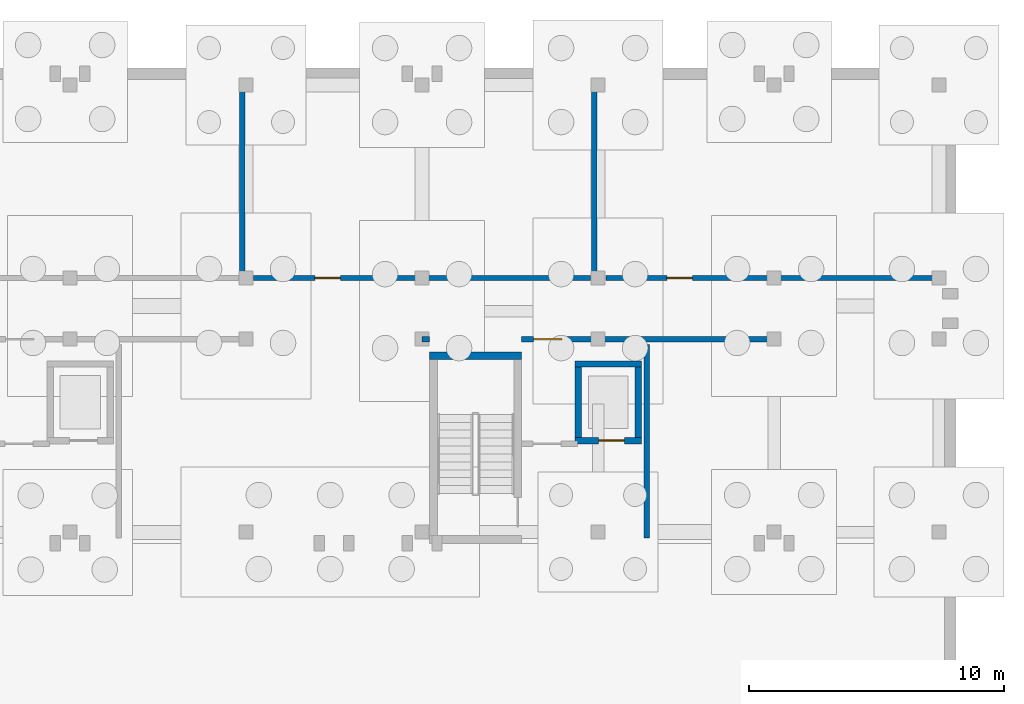
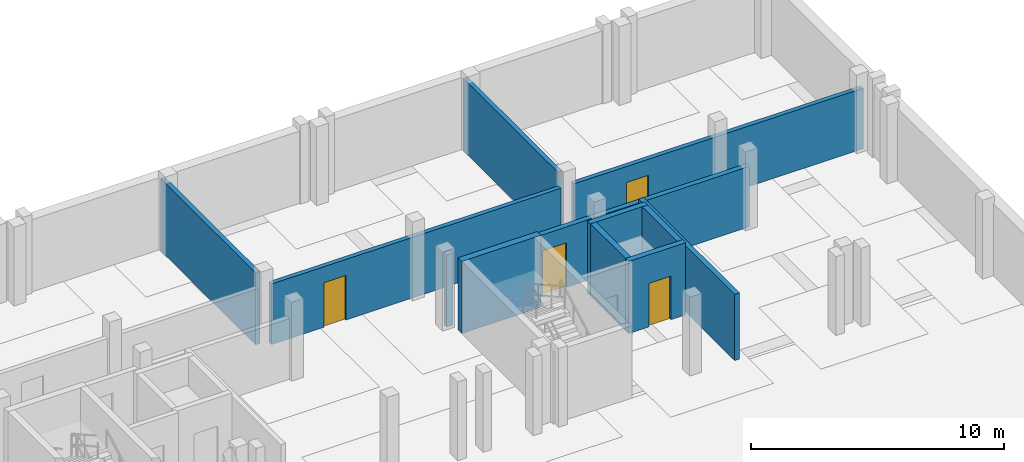
# One storey, part 29 of 38: 12 walls, 4 doors, 4 openings.
"""IFC4 building model written with IfcOpenShell, lengths in metres."""

from ifc_helpers import new_model, si_unit, direction, frame, frame_2d, origin, origin_with_axes, place, context, subcontext, project, spatial, rectangle, extrude, material, layer, layer_set, type_object, element, fill, save


model = new_model("IFC4")

# Units and contexts
model_context = context("Model", 3, precision=1e-05, world=origin(), true_north=direction((0.0, 1.0)))
body_context = subcontext(model_context, "Body", "Model", "MODEL_VIEW")
ifc_project = project(units=[si_unit("LENGTHUNIT", "METRE"), si_unit("AREAUNIT", "SQUARE_METRE"), si_unit("VOLUMEUNIT", "CUBIC_METRE"), si_unit("PLANEANGLEUNIT", "RADIAN"), si_unit("MASSUNIT", "GRAM", prefix="KILO")], contexts=[model_context])

# Site, building, storey
site_placement = place(None, origin())
site = spatial("IfcSite", under=ifc_project, at=site_placement, CompositionType="ELEMENT")
building_placement = place(site_placement, origin())
building = spatial("IfcBuilding", under=site, at=building_placement, Name="Zavelmont Quarter", CompositionType="ELEMENT")
storey_placement = place(building_placement, frame((0.0, 0.0, -3.800048828125)))
storey = spatial("IfcBuildingStorey", under=building, at=storey_placement, Name="B01", CompositionType="ELEMENT", Elevation=-3.800048828125)

# Wall
ifc_material_1 = material(Name="Calcium-silicate blockwork and acoustic plaster", Category="masonry")
ifc_layer_1 = layer(ifc_material_1, 0.199951171875)
ifc_layer_set_1 = layer_set([ifc_layer_1], Name="Calcium-silicate blockwork and acoustic plaster")
wall_type_1 = type_object("IfcWallType", Name="IW01", PredefinedType="PARTITIONING", material=ifc_layer_set_1)
wall_1_placement = place(storey_placement, frame((140.25, 108.199951171875, 0.0), z_axis=(0.0, 0.0, 1.0), x_axis=(0.0, 1.0, 0.0)))
element("IfcWall", 1, at=wall_1_placement, inside=storey, type_object=wall_type_1, Name="B01 Interior partition IW01", PredefinedType="PARTITIONING", context=body_context, shape_type="SweptSolid", body=[
    extrude(rectangle(XDim=7.5, YDim=0.199951171875, at=frame_2d((3.75, 0.0))), origin(), (0.0, 0.0, 1.0), 3.47998046875),
])

# Wall, opening, door
wall_2_placement = place(storey_placement, frame((140.699951171875, 108.0, 0.0), z_axis=(0.0, 0.0, 1.0), x_axis=(1.0, 0.0, 0.0)))
wall_2 = element("IfcWall", 2, at=wall_2_placement, inside=storey, type_object=wall_type_1, Name="B01 Basement storage wall IW01", PredefinedType="PARTITIONING", context=body_context, shape_type="SweptSolid", body=[
    extrude(rectangle(XDim=13.199951171875, YDim=0.199951171875, at=frame_2d((6.60009765625, 0.0))), origin(), (0.0, 0.0, 1.0), 2.920166015625),
])
opening_1_placement = place(wall_2_placement, frame((2.39990234375, 0.0, 0.0)))
opening_1 = element("IfcOpeningElement", 3, at=opening_1_placement, cuts=wall_2, Name="Opening DR07", PredefinedType="OPENING", context=body_context, shape_type="SweptSolid", body=[
    extrude(rectangle(XDim=1.0, YDim=2.14990234375, at=frame_2d((0.5, 1.074951171875))), frame((0.0, 0.11181640625, 0.0), z_axis=(0.0, -1.0, 0.0), x_axis=(1.0, 0.0, 0.0)), (0.0, 0.0, 1.0), 0.223876953125),
])
ifc_material_2 = material(Name="Solid-core oak fire leaf in steel frame", Category="steel")
door_type_1 = type_object("IfcDoorType", Name="DR07", OperationType="NOTDEFINED", PredefinedType="DOOR", material=ifc_material_2)
door_1_placement = place(opening_1_placement, frame((1.0, 0.0, 0.0), z_axis=(0.0, 0.0, 1.0), x_axis=(-1.0, 0.0, 0.0)))
door_1 = element("IfcDoor", 4, at=door_1_placement, inside=storey, type_object=door_type_1, Name="B01 door DR07", OperationType="SINGLE_SWING_RIGHT", OverallHeight=2.14990234375, OverallWidth=1.0, PredefinedType="DOOR", context=body_context, shape_type="SweptSolid", body=[
    extrude(rectangle(XDim=1.0, YDim=2.14990234375, at=frame_2d((0.5, 1.074951171875))), frame((0.0, 0.02490234375, 0.0), z_axis=(0.0, -1.0, 0.0), x_axis=(1.0, 0.0, 0.0)), (0.0, 0.0, 1.0), 0.050048828125),
])
fill(opening_1, door_1)

# Wall
wall_3_placement = place(storey_placement, frame((154.050048828125, 108.199951171875, 0.0), z_axis=(0.0, 0.0, 1.0), x_axis=(0.0, 1.0, 0.0)))
element("IfcWall", 5, at=wall_3_placement, inside=storey, type_object=wall_type_1, Name="B01 Interior partition IW01", PredefinedType="PARTITIONING", context=body_context, shape_type="SweptSolid", body=[
    extrude(rectangle(XDim=7.5, YDim=0.199951171875, at=frame_2d((3.75, 0.0))), origin(), (0.0, 0.0, 1.0), 3.47998046875),
])

# Wall, opening, door
wall_4_placement = place(storey_placement, frame((154.5, 108.0, 0.0), z_axis=(0.0, 0.0, 1.0), x_axis=(1.0, 0.0, 0.0)))
wall_4 = element("IfcWall", 6, at=wall_4_placement, inside=storey, type_object=wall_type_1, Name="B01 Basement storage wall IW01", PredefinedType="PARTITIONING", context=body_context, shape_type="SweptSolid", body=[
    extrude(rectangle(XDim=13.199951171875, YDim=0.199951171875, at=frame_2d((6.60009765625, 0.0))), origin(), (0.0, 0.0, 1.0), 2.920166015625),
])
opening_2_placement = place(wall_4_placement, frame((2.39990234375, 0.0, 0.0)))
opening_2 = element("IfcOpeningElement", 7, at=opening_2_placement, cuts=wall_4, Name="Opening DR07", PredefinedType="OPENING", context=body_context, shape_type="SweptSolid", body=[
    extrude(rectangle(XDim=1.0, YDim=2.14990234375, at=frame_2d((0.5, 1.074951171875))), frame((0.0, 0.11181640625, 0.0), z_axis=(0.0, -1.0, 0.0), x_axis=(1.0, 0.0, 0.0)), (0.0, 0.0, 1.0), 0.223876953125),
])
door_2_placement = place(opening_2_placement, origin_with_axes())
door_2 = element("IfcDoor", 8, at=door_2_placement, inside=storey, type_object=door_type_1, Name="B01 door DR07", OperationType="SINGLE_SWING_RIGHT", OverallHeight=2.14990234375, OverallWidth=1.0, PredefinedType="DOOR", context=body_context, shape_type="SweptSolid", body=[
    extrude(rectangle(XDim=1.0, YDim=2.14990234375, at=frame_2d((0.5, 1.074951171875))), frame((0.0, 0.02490234375, 0.0), z_axis=(0.0, -1.0, 0.0), x_axis=(1.0, 0.0, 0.0)), (0.0, 0.0, 1.0), 0.050048828125),
])
fill(opening_2, door_2)

# Walls
ifc_material_3 = material(Name="Reinforced masonry fire compartment wall", Category="masonry")
ifc_layer_2 = layer(ifc_material_3, 0.22509765625)
ifc_layer_set_2 = layer_set([ifc_layer_2], Name="Reinforced masonry fire compartment wall")
wall_type_2 = type_object("IfcWallType", Name="IW02", PredefinedType="PARTITIONING", material=ifc_layer_set_2)
wall_5_placement = place(storey_placement, frame((156.110107421875, 97.800048828125, 0.0), z_axis=(0.0, 0.0, 1.0), x_axis=(0.0, 1.0, 0.0)))
element("IfcWall", 9, at=wall_5_placement, inside=storey, type_object=wall_type_2, Name="B01 Firefighting lobby enclosure wall IW02", PredefinedType="PARTITIONING", context=body_context, shape_type="SweptSolid", body=[
    extrude(rectangle(XDim=7.599853515625, YDim=0.22509765625, at=frame_2d((3.7998046875, 0.0))), origin(), (0.0, 0.0, 1.0), 3.18994140625),
])
wall_6_placement = place(storey_placement, frame((147.300048828125, 105.60009765625, 0.0), z_axis=(0.0, 0.0, 1.0), x_axis=(1.0, 0.0, 0.0)))
element("IfcWall", 10, at=wall_6_placement, inside=storey, type_object=wall_type_2, Name="B01 Core corridor wall IW02", PredefinedType="PARTITIONING", context=body_context, shape_type="SweptSolid", body=[
    extrude(rectangle(XDim=0.300048828125, YDim=0.22509765625, at=frame_2d((0.14990234375, 0.0))), origin(), (0.0, 0.0, 1.0), 3.47998046875),
])

# Wall, opening, door
wall_7_placement = place(storey_placement, frame((151.199951171875, 105.60009765625, 0.0), z_axis=(0.0, 0.0, 1.0), x_axis=(1.0, 0.0, 0.0)))
wall_7 = element("IfcWall", 11, at=wall_7_placement, inside=storey, type_object=wall_type_2, Name="B01 Core corridor fire wall IW02", PredefinedType="PARTITIONING", context=body_context, shape_type="SweptSolid", body=[
    extrude(rectangle(XDim=9.900146484375, YDim=0.22509765625, at=frame_2d((4.9501953125, 0.0))), origin(), (0.0, 0.0, 1.0), 2.920166015625),
])
opening_3_placement = place(wall_7_placement, frame((0.47509765625, 0.0, 0.0)))
opening_3 = element("IfcOpeningElement", 12, at=opening_3_placement, cuts=wall_7, Name="Opening DR10", PredefinedType="OPENING", context=body_context, shape_type="SweptSolid", body=[
    extrude(rectangle(XDim=1.10009765625, YDim=2.14990234375, at=frame_2d((0.550048828125, 1.074951171875))), frame((0.0, 0.12451171875, 0.0), z_axis=(0.0, -1.0, 0.0), x_axis=(1.0, 0.0, 0.0)), (0.0, 0.0, 1.0), 0.2490234375),
])
ifc_material_4 = material(Name="Painted steel lobby fire door", Category="steel")
door_type_2 = type_object("IfcDoorType", Name="DR10", OperationType="NOTDEFINED", PredefinedType="DOOR", material=ifc_material_4)
door_3_placement = place(opening_3_placement, frame((1.10009765625, 0.0, 0.0), z_axis=(0.0, 0.0, 1.0), x_axis=(-1.0, 0.0, 0.0)))
door_3 = element("IfcDoor", 13, at=door_3_placement, inside=storey, type_object=door_type_2, Name="Core vestibule fire door", OperationType="SINGLE_SWING_LEFT", OverallHeight=2.14990234375, OverallWidth=1.10009765625, PredefinedType="DOOR", context=body_context, shape_type="SweptSolid", body=[
    extrude(rectangle(XDim=1.10009765625, YDim=2.14990234375, at=frame_2d((0.550048828125, 1.074951171875))), frame((0.0, 0.02490234375, 0.0), z_axis=(0.0, -1.0, 0.0), x_axis=(1.0, 0.0, 0.0)), (0.0, 0.0, 1.0), 0.050048828125),
])
fill(opening_3, door_3)

# Wall
ifc_material_5 = material(Name="Concrete C40/50", Category="concrete")
ifc_layer_3 = layer(ifc_material_5, 0.300048828125)
ifc_layer_set_3 = layer_set([ifc_layer_3], Name="Concrete C40/50")
wall_type_3 = type_object("IfcWallType", Name="SW01", PredefinedType="SHEAR", material=ifc_layer_set_3)
wall_8_placement = place(storey_placement, frame((147.60009765625, 104.949951171875, 0.0), z_axis=(0.0, 0.0, 1.0), x_axis=(1.0, 0.0, 0.0)))
element("IfcWall", 14, at=wall_8_placement, inside=storey, type_object=wall_type_3, Name="B01 ST06 corridor shear wall SW01", PredefinedType="SHEAR", context=body_context, shape_type="SweptSolid", body=[
    extrude(rectangle(XDim=3.599853515625, YDim=0.300048828125, at=frame_2d((1.7998046875, 0.0))), origin(), (0.0, 0.0, 1.0), 3.47998046875),
])

# Wall, opening, door
ifc_layer_4 = layer(ifc_material_5, 0.25)
ifc_layer_set_4 = layer_set([ifc_layer_4], Name="Concrete C40/50")
wall_type_4 = type_object("IfcWallType", Name="SW02", PredefinedType="SHEAR", material=ifc_layer_set_4)
wall_9_placement = place(storey_placement, frame((153.300048828125, 101.625, 0.0), z_axis=(0.0, 0.0, 1.0), x_axis=(1.0, 0.0, 0.0)))
wall_9 = element("IfcWall", 15, at=wall_9_placement, inside=storey, type_object=wall_type_4, Name="B01 Lift LF06 landing shaft wall SW02", PredefinedType="SHEAR", context=body_context, shape_type="SweptSolid", body=[
    extrude(rectangle(XDim=2.599853515625, YDim=0.25, at=frame_2d((1.2998046875, 0.0))), origin(), (0.0, 0.0, 1.0), 3.47998046875),
])
opening_4_placement = place(wall_9_placement, frame((0.925048828125, 0.0, 0.0)))
opening_4 = element("IfcOpeningElement", 16, at=opening_4_placement, cuts=wall_9, Name="Opening LD01", PredefinedType="OPENING", context=body_context, shape_type="SweptSolid", body=[
    extrude(rectangle(XDim=1.0, YDim=2.10009765625, at=frame_2d((0.5, 1.050048828125))), frame((0.0, 0.136962890625, 0.0), z_axis=(0.0, -1.0, 0.0), x_axis=(1.0, 0.0, 0.0)), (0.0, 0.0, 1.0), 0.27392578125),
])
ifc_material_6 = material(Name="Brushed stainless-steel automatic sliding landing door", Category="steel")
door_type_3 = type_object("IfcDoorType", Name="LD01", OperationType="SLIDING_TO_LEFT", PredefinedType="DOOR", material=ifc_material_6)
door_4_placement = place(opening_4_placement, origin_with_axes())
door_4 = element("IfcDoor", 17, at=door_4_placement, inside=storey, type_object=door_type_3, Name="Lift LF06 sliding landing door", OperationType="SLIDING_TO_LEFT", OverallHeight=2.10009765625, OverallWidth=1.0, PredefinedType="DOOR", context=body_context, shape_type="SweptSolid", body=[
    extrude(rectangle(XDim=1.0, YDim=2.10009765625, at=frame_2d((0.5, 1.050048828125))), frame((0.0, 0.02490234375, 0.0), z_axis=(0.0, -1.0, 0.0), x_axis=(1.0, 0.0, 0.0)), (0.0, 0.0, 1.0), 0.050048828125),
])
fill(opening_4, door_4)

# Walls
wall_10_placement = place(storey_placement, frame((153.300048828125, 104.625, 0.0), z_axis=(0.0, 0.0, 1.0), x_axis=(1.0, 0.0, 0.0)))
element("IfcWall", 18, at=wall_10_placement, inside=storey, type_object=wall_type_4, Name="B01 Lift LF06 back shaft wall SW02", PredefinedType="SHEAR", context=body_context, shape_type="SweptSolid", body=[
    extrude(rectangle(XDim=2.599853515625, YDim=0.25, at=frame_2d((1.2998046875, 0.0))), origin(), (0.0, 0.0, 1.0), 3.47998046875),
])
for number, where, z_axis, x_axis, name in (
    (19, (153.425048828125, 101.5, 0.0), (0.0, 0.0, 1.0), (0.0, 1.0, 0.0), "B01 Lift LF06 west shaft wall SW02"),
    (20, (155.77490234375, 101.5, 0.0), (0.0, 0.0, 1.0), (0.0, 1.0, 0.0), "B01 Lift LF06 east shaft wall SW02"),
):
    element("IfcWall", number, at=place(storey_placement, frame(where, z_axis=z_axis, x_axis=x_axis)), inside=storey, type_object=wall_type_4, Name=name, PredefinedType="SHEAR", context=body_context, shape_type="SweptSolid", body=[
        extrude(rectangle(XDim=3.25, YDim=0.25, at=frame_2d((1.625, 0.0))), origin(), (0.0, 0.0, 1.0), 3.47998046875),
    ])

save(model, "model.ifc")
